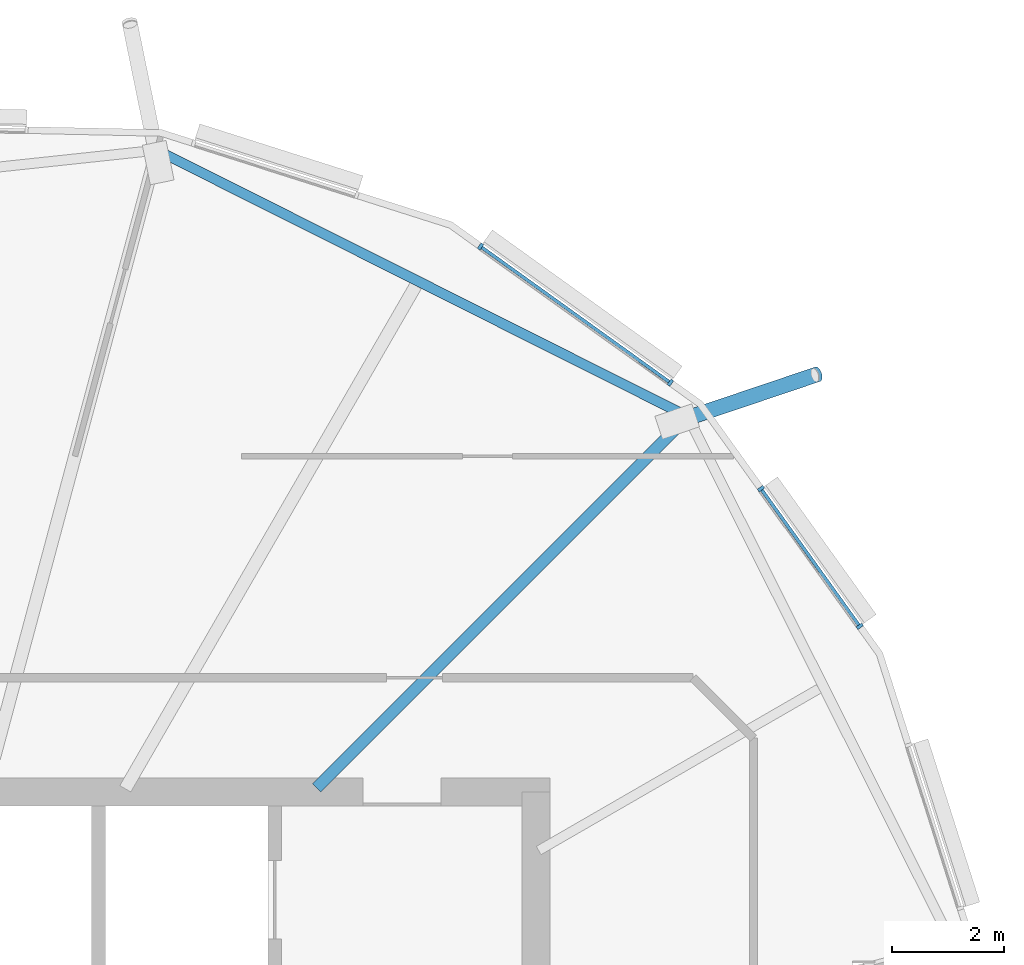
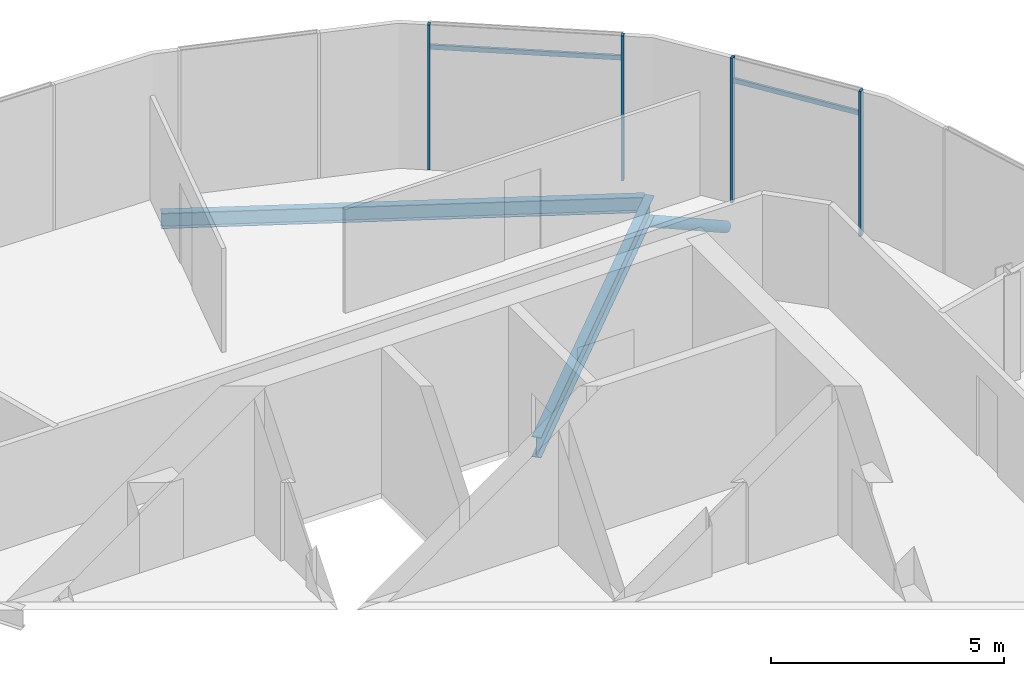
# One storey, part 15 of 41: 7 members, 2 beams, 1 element without a shape of its own.
"""IFC4 building model written with IfcOpenShell, lengths in metres."""

import ifcopenshell
import ifcopenshell.guid

model = None  # the IFC model being written
_history = None  # IfcOwnerHistory: only IFC2X3 demands one
_inside = {}  # id of a spatial element -> (the spatial element, [elements in it])
_under = {}  # id of a project, library or spatial element -> (it, [spatial elements below it])
_declared = {}  # id of a project -> (the project, [libraries it declares])
_typed = {}  # id of a type object -> (the type object, [elements of that type])
_made_of = {}  # id of a material, layer set ... -> (it, [elements and type objects made of it])


def new_model(schema):
    """Start an empty IFC model of exactly this schema.

    Asked for "IFC4X3", IfcOpenShell would pick the latest addendum, in which some entities
    have other attributes; the version numbers below select the first issue.
    IFC2X3 requires an IfcOwnerHistory on every rooted entity: one is made here for all.
    """
    global model, _history
    if schema == "IFC4X3":
        model = ifcopenshell.file(schema_version=(4, 3, 0, 0))
    else:
        model = ifcopenshell.file(schema=schema)
    _inside.clear()
    _under.clear()
    _declared.clear()
    _typed.clear()
    _made_of.clear()
    _history = None
    if model.schema == "IFC2X3":
        org = make("IfcOrganization", Name="unknown")
        user = make(
            "IfcPersonAndOrganization",
            ThePerson=make("IfcPerson", FamilyName="unknown"),
            TheOrganization=org,
        )
        app = make(
            "IfcApplication",
            ApplicationDeveloper=org,
            Version="unknown",
            ApplicationFullName="unknown",
            ApplicationIdentifier="unknown",
        )
        _history = make(
            "IfcOwnerHistory",
            OwningUser=user,
            OwningApplication=app,
            ChangeAction="ADDED",
            CreationDate=0,
        )
    return model


def make(cls, **values):
    """One entity of the class cls with the attributes given. An attribute that is None is left unset."""
    return model.create_entity(
        cls, **{name: value for name, value in values.items() if value is not None}
    )


def rooted(cls, **values):
    """An entity with a GlobalId (a new one), such as an element, a storey or a relation."""
    return make(cls, GlobalId=ifcopenshell.guid.new(), OwnerHistory=_history, **values)


def si_unit(unit_type, name, prefix=None):
    """IfcSIUnit, for example si_unit("LENGTHUNIT", "METRE", prefix="MILLI")."""
    return make("IfcSIUnit", UnitType=unit_type, Prefix=prefix, Name=name)


def assignment(units):
    """IfcUnitAssignment: the units of a project."""
    return None if units is None else make("IfcUnitAssignment", Units=units)


def point(xyz):
    """IfcCartesianPoint."""
    return None if xyz is None else make("IfcCartesianPoint", Coordinates=xyz)


def direction(xyz):
    """IfcDirection."""
    return None if xyz is None else make("IfcDirection", DirectionRatios=xyz)


def frame(location, z_axis=None, x_axis=None):
    """IfcAxis2Placement3D, a coordinate frame: its origin and axes. An axis left out is left unset."""
    return make(
        "IfcAxis2Placement3D",
        Location=point(location),
        Axis=direction(z_axis),
        RefDirection=direction(x_axis),
    )


def frame_2d(location, x_axis=None):
    """IfcAxis2Placement2D, a coordinate frame in the plane: its origin and x axis."""
    return make(
        "IfcAxis2Placement2D", Location=point(location), RefDirection=direction(x_axis)
    )


def origin():
    """The frame at (0, 0, 0) with its axes left unset."""
    return frame((0.0, 0.0, 0.0))


def origin_2d():
    """The frame at (0, 0) in the plane with its x axis left unset."""
    return frame_2d((0.0, 0.0))


def place(relative_to, where):
    """IfcLocalPlacement: puts the frame where relative to a parent placement (None: the world)."""
    return make(
        "IfcLocalPlacement", PlacementRelTo=relative_to, RelativePlacement=where
    )


def context(
    kind, dimensions, precision=None, world=None, true_north=None, identifier=None
):
    """IfcGeometricRepresentationContext, for example the 3D "Model" context."""
    return make(
        "IfcGeometricRepresentationContext",
        ContextIdentifier=identifier,
        ContextType=kind,
        CoordinateSpaceDimension=dimensions,
        Precision=precision,
        WorldCoordinateSystem=world,
        TrueNorth=true_north,
    )


def subcontext(parent, identifier, kind, view, scale=None):
    """IfcGeometricRepresentationSubContext, for example "Body" below "Model"."""
    return make(
        "IfcGeometricRepresentationSubContext",
        ContextIdentifier=identifier,
        ContextType=kind,
        ParentContext=parent,
        TargetScale=scale,
        TargetView=view,
    )


def project(units=None, contexts=None):
    """IfcProject with its units and contexts."""
    return rooted(
        "IfcProject",
        Name="project",
        RepresentationContexts=contexts,
        UnitsInContext=assignment(units),
    )


def spatial(cls, under=None, at=None, **own):
    """A site, building, storey or space (cls), placed at a placement, below another one or the project."""
    s = rooted(cls, ObjectPlacement=at, **own)
    if under is not None:
        _under.setdefault(under.id(), (under, []))[1].append(s)
    return s


def profile(cls, at=None, kind="AREA", **sizes):
    """A parametric profile (cls). Its sizes go by their IFC names, for example OverallWidth=200.0."""
    return make(cls, ProfileType=kind, Position=at, **sizes)


def rectangle(**sizes):
    """IfcRectangleProfileDef."""
    return profile("IfcRectangleProfileDef", **sizes)


def hollow_circle(**sizes):
    """IfcCircleHollowProfileDef."""
    return profile("IfcCircleHollowProfileDef", **sizes)


def i_section(**sizes):
    """IfcIShapeProfileDef."""
    return profile("IfcIShapeProfileDef", **sizes)


def extrude(swept, where, along, depth):
    """IfcExtrudedAreaSolid: the profile swept, set in the frame where, extruded along a direction by depth."""
    return make(
        "IfcExtrudedAreaSolid",
        SweptArea=swept,
        Position=where,
        ExtrudedDirection=direction(along),
        Depth=depth,
    )


def clip(a, b, op="DIFFERENCE"):
    """IfcBooleanClippingResult: the solid a cut by the half space b."""
    return make(
        "IfcBooleanClippingResult", Operator=op, FirstOperand=a, SecondOperand=b
    )


def halfspace(plane, agree):
    """IfcHalfSpaceSolid: all space on one side of the plane z = 0 of the frame plane."""
    return make(
        "IfcHalfSpaceSolid",
        BaseSurface=make("IfcPlane", Position=plane),
        AgreementFlag=agree,
    )


def shape(context_of_items, identifier, shape_type, items):
    """IfcShapeRepresentation: the items that make up one representation, for example the "Body"."""
    return make(
        "IfcShapeRepresentation",
        ContextOfItems=context_of_items,
        RepresentationIdentifier=identifier,
        RepresentationType=shape_type,
        Items=items,
    )


def material(Name=None, Category=None):
    """IfcMaterial."""
    return make("IfcMaterial", Name=Name, Category=Category)


def material_profile(
    of_material, cross_section, Name=None, Category=None, Priority=None
):
    """IfcMaterialProfile: a cross section and its material."""
    return make(
        "IfcMaterialProfile",
        Name=Name,
        Material=of_material,
        Profile=cross_section,
        Priority=Priority,
        Category=Category,
    )


def profile_set(profiles, Name=None, composite=None):
    """IfcMaterialProfileSet."""
    return make(
        "IfcMaterialProfileSet",
        Name=Name,
        MaterialProfiles=profiles,
        CompositeProfile=composite,
    )


def made_of(thing, what):
    """Note that an element or type object is made of a material, layer set ...; save() writes the relation."""
    if what is not None:
        _made_of.setdefault(what.id(), (what, []))[1].append(thing)
    return thing


def type_object(cls, material=None, **own):
    """A type object (cls), such as IfcWallType, which elements share."""
    return made_of(rooted(cls, **own), material)


def element(
    cls,
    number,
    at=None,
    inside=None,
    cuts=None,
    type_object=None,
    material=None,
    context=None,
    identifier="Body",
    shape_type=None,
    held_by="IfcProductDefinitionShape",
    body=None,
    shapes=None,
    **own,
):
    """One element of the class cls, such as IfcWall. Its Tag is "e" and its number.

    at: its placement. inside: the storey or other place that contains it. cuts: it is an
    opening in that element (IfcRelVoidsElement). A single representation is given by context,
    identifier, shape_type and body (its items); several are given by shapes. held_by: the class
    of the entity that holds the representations. save() writes the other relations.
    """
    e = rooted(cls, Tag="e%d" % number, ObjectPlacement=at, **own)
    if body is not None:
        shapes = [shape(context, identifier, shape_type, body)]
    if shapes is not None:
        e.Representation = make(held_by, Representations=shapes)
    if inside is not None:
        _inside.setdefault(inside.id(), (inside, []))[1].append(e)
    if cuts is not None:
        rooted(
            "IfcRelVoidsElement", RelatingBuildingElement=cuts, RelatedOpeningElement=e
        )
    if type_object is not None:
        _typed.setdefault(type_object.id(), (type_object, []))[1].append(e)
    return made_of(e, material)


def aggregate(whole, parts):
    """IfcRelAggregates: a whole, such as a stair, and the parts it consists of."""
    return rooted("IfcRelAggregates", RelatingObject=whole, RelatedObjects=parts)


def save(model, path):
    """Write the relations noted so far, then the file.

    IfcRelAggregates (storeys below a building ...), IfcRelContainedInSpatialStructure (elements
    in a storey), IfcRelDefinesByType, IfcRelAssociatesMaterial and IfcRelDeclares: one each for
    every whole, place, type object, material and project.
    """
    for whole, parts in _under.values():
        aggregate(whole, parts)
    for where, things in _inside.values():
        rooted(
            "IfcRelContainedInSpatialStructure",
            RelatedElements=things,
            RelatingStructure=where,
        )
    for kind, things in _typed.values():
        rooted("IfcRelDefinesByType", RelatedObjects=things, RelatingType=kind)
    for what, things in _made_of.values():
        rooted("IfcRelAssociatesMaterial", RelatedObjects=things, RelatingMaterial=what)
    for by, libraries in _declared.values():
        rooted("IfcRelDeclares", RelatingContext=by, RelatedDefinitions=libraries)
    model.write(path)


model = new_model("IFC4")

# Units and contexts
model_context = context("Model", 3, precision=1e-05, world=origin(), true_north=direction((0.0, 1.0)))
body_context = subcontext(model_context, "Body", "Model", "MODEL_VIEW")
ifc_project = project(units=[si_unit("LENGTHUNIT", "METRE"), si_unit("AREAUNIT", "SQUARE_METRE"), si_unit("VOLUMEUNIT", "CUBIC_METRE"), si_unit("PLANEANGLEUNIT", "RADIAN"), si_unit("MASSUNIT", "GRAM", prefix="KILO")], contexts=[model_context])

# Site, building, storey
site_placement = place(None, origin())
site = spatial("IfcSite", under=ifc_project, at=site_placement, CompositionType="ELEMENT")
building_placement = place(site_placement, origin())
building = spatial("IfcBuilding", under=site, at=building_placement, Name="Rimbun Link Towers", CompositionType="ELEMENT")
storey_placement = place(building_placement, frame((0.0, 0.0, 210.5)))
storey = spatial("IfcBuildingStorey", under=building, at=storey_placement, Name="L51", CompositionType="ELEMENT", Elevation=210.5)

# Curtain wall, members
ifc_material_1 = material(Name="Aluminium 6063-T6 and low-iron glass", Category="aluminium")
curtain_wall_type = type_object("IfcCurtainWallType", Name="CW1-Z4 unitised vision wall (zone 4)", PredefinedType="NOTDEFINED", material=ifc_material_1)
curtain_wall_placement = place(storey_placement, origin())
curtain_wall = element("IfcCurtainWall", 1, at=curtain_wall_placement, inside=storey, type_object=curtain_wall_type, Name="CW1 L51 T2", PredefinedType="NOTDEFINED")
ifc_material_2 = material(Name="Aluminium 6063-T6", Category="aluminium")
ifc_material_profile_1 = material_profile(ifc_material_2, rectangle(XDim=0.1201171875, YDim=0.06005859375, at=origin_2d()), Name="MULLION 60X120")
ifc_profile_set_1 = profile_set([ifc_material_profile_1], Name="Aluminium 6063-T6")
member_type_1 = type_object("IfcMemberType", Name="CW1 mullion 60X120", PredefinedType="MULLION", material=ifc_profile_set_1)
member_1_placement = place(storey_placement, frame((42.754638671875, 17.7548828125, 0.0), z_axis=(0.0, 0.0, 1.0), x_axis=(0.583003511617, 0.812469633551, 0.0)))
member_1 = element("IfcMember", 2, at=member_1_placement, type_object=member_type_1, Name="CW1 mullion", PredefinedType="MULLION", context=body_context, shape_type="SweptSolid", body=[
    extrude(rectangle(XDim=0.1201171875, YDim=0.06005859375, at=origin_2d()), origin(), (0.0, 0.0, 1.0), 3.800048828125),
])
member_2_placement = place(storey_placement, frame((46.148681640625, 15.319580078125, 0.0), z_axis=(0.0, 0.0, 1.0), x_axis=(0.583003511617, 0.812469633551, 0.0)))
member_2 = element("IfcMember", 3, at=member_2_placement, type_object=member_type_1, Name="CW1 mullion", PredefinedType="MULLION", context=body_context, shape_type="SweptSolid", body=[
    extrude(rectangle(XDim=0.1201171875, YDim=0.06005859375, at=origin_2d()), origin(), (0.0, 0.0, 1.0), 3.800048828125),
])
member_3_placement = place(storey_placement, frame((47.76904296875, 13.423828125, 0.0), z_axis=(0.0, 0.0, 1.0), x_axis=(0.812469633551, 0.583003511617, 0.0)))
member_3 = element("IfcMember", 4, at=member_3_placement, type_object=member_type_1, Name="CW1 mullion", PredefinedType="MULLION", context=body_context, shape_type="SweptSolid", body=[
    extrude(rectangle(XDim=0.1201171875, YDim=0.06005859375, at=origin_2d()), origin(), (0.0, 0.0, 1.0), 3.800048828125),
])
member_4_placement = place(storey_placement, frame((49.5341796875, 10.9638671875, 0.0), z_axis=(0.0, 0.0, 1.0), x_axis=(0.812469633551, 0.583003511617, 0.0)))
member_4 = element("IfcMember", 5, at=member_4_placement, type_object=member_type_1, Name="CW1 mullion", PredefinedType="MULLION", context=body_context, shape_type="SweptSolid", body=[
    extrude(rectangle(XDim=0.1201171875, YDim=0.06005859375, at=origin_2d()), origin(), (0.0, 0.0, 1.0), 3.800048828125),
])
ifc_material_3 = material(Name="Aluminium 6063-T6", Category="aluminium")
ifc_material_profile_2 = material_profile(ifc_material_3, rectangle(XDim=0.06005859375, YDim=0.1201171875, at=origin_2d()), Name="TRANSOM 60X120")
ifc_profile_set_2 = profile_set([ifc_material_profile_2], Name="Aluminium 6063-T6")
member_type_2 = type_object("IfcMemberType", Name="CW1 transom 60X120", PredefinedType="USERDEFINED", material=ifc_profile_set_2)
member_5_placement = place(storey_placement, frame((42.77783203125, 17.73583984375, 3.199951171875), z_axis=(0.812473528823, -0.582998083155, 0.0), x_axis=(0.582998083155, 0.812473528823, 0.0)))
member_5 = element("IfcMember", 6, at=member_5_placement, type_object=member_type_2, Name="CW1 transom", ObjectType="TRANSOM", PredefinedType="USERDEFINED", context=body_context, shape_type="SweptSolid", body=[
    extrude(rectangle(XDim=0.06005859375, YDim=0.1201171875, at=origin_2d()), origin(), (0.0, 0.0, 1.0), 4.117431640625),
])
member_6_placement = place(storey_placement, frame((47.784912109375, 13.398193359375, 3.199951171875), z_axis=(0.583018858473, -0.812458620894, 0.0), x_axis=(0.812458620894, 0.583018858473, 0.0)))
member_6 = element("IfcMember", 7, at=member_6_placement, type_object=member_type_2, Name="CW1 transom", ObjectType="TRANSOM", PredefinedType="USERDEFINED", context=body_context, shape_type="SweptSolid", body=[
    extrude(rectangle(XDim=0.06005859375, YDim=0.1201171875, at=origin_2d()), origin(), (0.0, 0.0, 1.0), 2.9677734375),
])
aggregate(curtain_wall, [member_1, member_2, member_3, member_4, member_5, member_6])

# Member
ifc_material_4 = material(Name="Steel S355J2H", Category="steel")
ifc_material_profile_3 = material_profile(ifc_material_4, hollow_circle(Radius=0.136474609375, WallThickness=0.012451171875, at=origin_2d()), Name="CHS 273x12.5")
ifc_profile_set_3 = profile_set([ifc_material_profile_3], Name="Steel S355J2H")
member_type_3 = type_object("IfcMemberType", Name="Floor edge link CHS 273x12.5", PredefinedType="BRACE", material=ifc_profile_set_3)
member_7_placement = place(storey_placement, frame((46.42724609375, 14.67724609375, -0.79052734375), z_axis=(0.816651555386, 0.275150316838, -0.507318972865), x_axis=(-0.319289410692, 0.947657254613, 0.0)))
element("IfcMember", 8, at=member_7_placement, inside=storey, type_object=member_type_3, Name="Floor edge link T2 L51 00", PredefinedType="BRACE", context=body_context, shape_type="Clipping", body=[
    clip(extrude(hollow_circle(Radius=0.136474609375, WallThickness=0.012451171875, at=origin_2d()), frame((0.0, 0.0, -0.4833984375)), (0.0, 0.0, 1.0), 3.368896484375), halfspace(frame((0.0, 0.0, -0.2275390625), z_axis=(0.0, 0.861758353467, -0.507318972865)), False)),
])

# Beams
ifc_material_5 = material(Name="Steel S355J2", Category="steel")
ifc_material_profile_4 = material_profile(ifc_material_5, i_section(OverallWidth=0.177978515625, OverallDepth=0.406494140625, WebThickness=0.0078125, FlangeThickness=0.0126953125, at=origin_2d()), Name="UB 406x178x60")
ifc_profile_set_4 = profile_set([ifc_material_profile_4], Name="Steel S355J2")
beam_type_1 = type_object("IfcBeamType", Name="UB 406x178x60", PredefinedType="BEAM", material=ifc_profile_set_4)
beam_1_placement = place(storey_placement, frame((46.36328125, 14.762451171875, -0.34326171875), z_axis=(-0.893792079983, 0.448481569029, 0.0), x_axis=(-0.448481569029, -0.893792079983, 0.0)))
element("IfcBeam", 9, at=beam_1_placement, inside=storey, type_object=beam_type_1, Name="Edge beam T2 L51 00-02", PredefinedType="BEAM", context=body_context, shape_type="SweptSolid", body=[
    extrude(i_section(OverallWidth=0.177978515625, OverallDepth=0.406494140625, WebThickness=0.0078125, FlangeThickness=0.0126953125, at=origin_2d()), origin(), (0.0, 0.0, 1.0), 10.393798828125),
])
ifc_material_6 = material(Name="Steel S355J2", Category="steel")
ifc_material_profile_5 = material_profile(ifc_material_6, i_section(OverallWidth=0.209228515625, OverallDepth=0.533203125, WebThickness=0.010009765625, FlangeThickness=0.015625, at=origin_2d()), Name="UB 533x210x92")
ifc_profile_set_5 = profile_set([ifc_material_profile_5], Name="Steel S355J2")
beam_type_2 = type_object("IfcBeamType", Name="UB 533x210x92", PredefinedType="BEAM", material=ifc_profile_set_5)
beam_2_placement = place(storey_placement, frame((39.82470703125, 8.07470703125, -0.406494140625), z_axis=(0.707106781187, 0.707106781187, 0.0), x_axis=(-0.707106781187, 0.707106781187, 0.0)))
element("IfcBeam", 10, at=beam_2_placement, inside=storey, type_object=beam_type_2, Name="Radial beam T2 L51 00", PredefinedType="BEAM", context=body_context, shape_type="SweptSolid", body=[
    extrude(i_section(OverallWidth=0.209228515625, OverallDepth=0.533203125, WebThickness=0.010009765625, FlangeThickness=0.015625, at=origin_2d()), origin(), (0.0, 0.0, 1.0), 9.387451171875),
])

save(model, "model.ifc")
